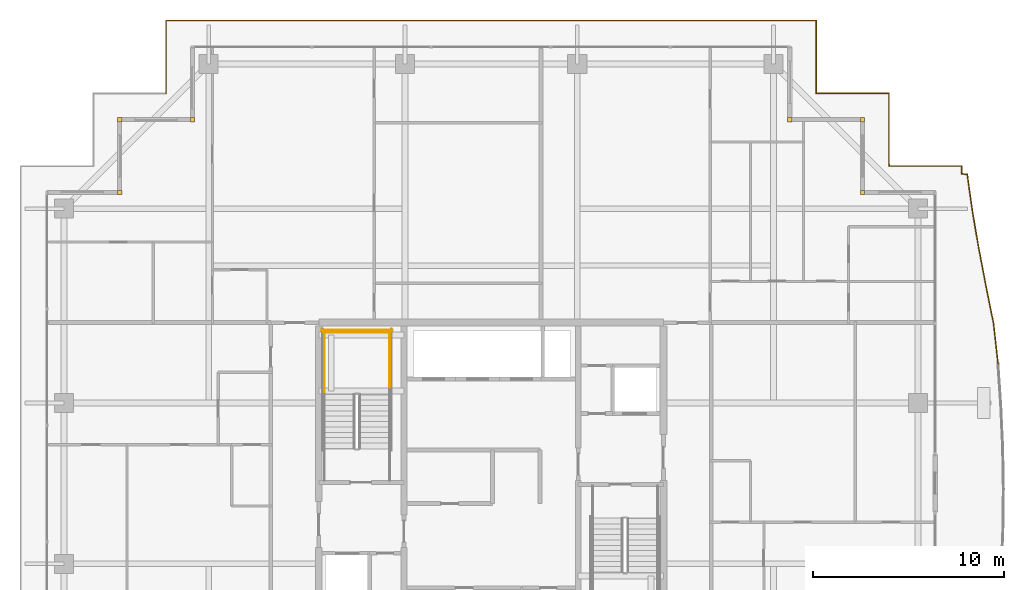
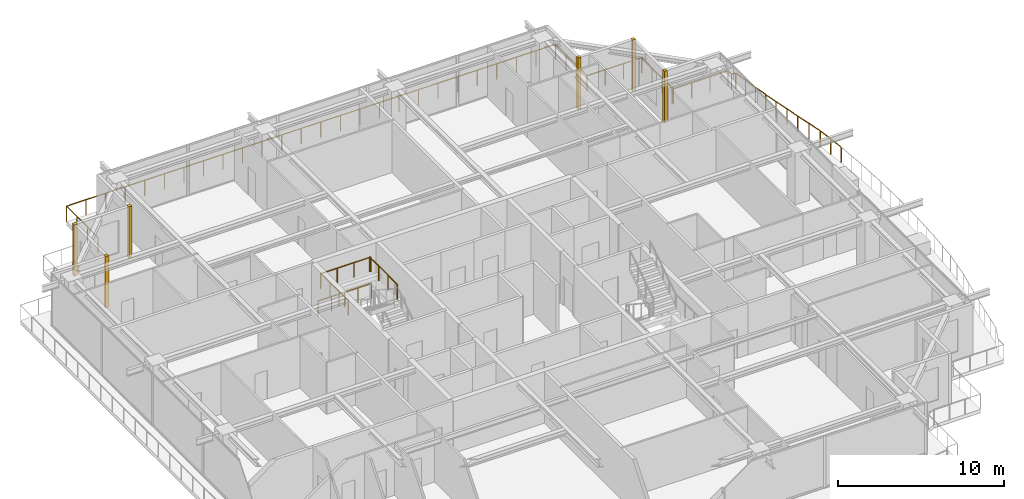
# One storey, part 42 of 42: 6 coverings, 6 railings.
"""IFC4 building model written with IfcOpenShell, lengths in metres."""

from ifc_helpers import new_model, si_unit, direction, frame, origin, origin_2d, place, context, subcontext, project, spatial, rectangle, circle, extrude, source, transform, mapped, material, layer, layer_set, type_object, element, save


model = new_model("IFC4")

# Units and contexts
model_context = context("Model", 3, precision=1e-05, world=origin(), true_north=direction((0.0, 1.0)))
body_context = subcontext(model_context, "Body", "Model", "MODEL_VIEW")
ifc_project = project(units=[si_unit("LENGTHUNIT", "METRE"), si_unit("AREAUNIT", "SQUARE_METRE"), si_unit("VOLUMEUNIT", "CUBIC_METRE"), si_unit("PLANEANGLEUNIT", "RADIAN"), si_unit("MASSUNIT", "GRAM", prefix="KILO")], contexts=[model_context])

# Site, building, storey
site_placement = place(None, origin())
site = spatial("IfcSite", under=ifc_project, at=site_placement, CompositionType="ELEMENT")
building_placement = place(site_placement, origin())
building = spatial("IfcBuilding", under=site, at=building_placement, Name="Serunith Strait Residences", CompositionType="ELEMENT")
storey_placement = place(building_placement, frame((0.0, 0.0, 293.449951171875)))
storey = spatial("IfcBuildingStorey", under=building, at=storey_placement, Name="L73", CompositionType="ELEMENT", Elevation=293.449951171875)

# Railings
ifc_material_1 = material(Name="Stainless Steel & Laminated Glass Balustrade", Category="steel")
railing_type_1 = type_object("IfcRailingType", Name="RLG-BALC-1150", PredefinedType="BALUSTRADE", material=ifc_material_1)
railing_1_placement = place(storey_placement, frame((15.407470703125, 45.580078125, -0.050048828125)))
element("IfcRailing", 1, at=railing_1_placement, inside=storey, type_object=railing_type_1, Name="L73 Swirling Balcony Perimeter Balustrade 2", PredefinedType="BALUSTRADE", context=body_context, shape_type="SweptSolid", body=[
    extrude(circle(Radius=0.02392578125, at=origin_2d()), frame((0.012451171875, 0.006591796875, 1.1259765625), z_axis=(0.0, 1.0, 0.0), x_axis=(-1.0, 0.0, 0.0)), (0.0, 0.0, 1.0), 3.791259765625),
    extrude(circle(Radius=0.02392578125, at=origin_2d()), frame((0.014404296875, 3.7998046875, 1.1259765625), z_axis=(1.0, 0.0, 0.0), x_axis=(0.0, 1.0, 0.0)), (0.0, 0.0, 1.0), 33.9560546875),
    extrude(circle(Radius=0.02392578125, at=origin_2d()), frame((33.972412109375, 3.7978515625, 1.1259765625), z_axis=(0.0, -1.0, 0.0), x_axis=(1.0, 0.0, 0.0)), (0.0, 0.0, 1.0), 3.7958984375),
    extrude(circle(Radius=0.02392578125, at=origin_2d()), frame((33.974365234375, 0.0, 1.1259765625), z_axis=(1.0, 0.0, 0.0), x_axis=(0.0, 1.0, 0.0)), (0.0, 0.0, 1.0), 3.796142578125),
    extrude(circle(Radius=0.02392578125, at=origin_2d()), frame((37.7724609375, -0.001953125, 1.1259765625), z_axis=(0.0, -1.0, 0.0), x_axis=(1.0, 0.0, 0.0)), (0.0, 0.0, 1.0), 3.655029296875),
    extrude(circle(Radius=0.02392578125, at=origin_2d()), frame((37.772705078125, -3.660888671875, 1.1259765625), z_axis=(0.148842389439, -0.988860932137, 0.0), x_axis=(0.988860932137, 0.148842389439, 0.0)), (0.0, 0.0, 1.0), 0.138671875),
    extrude(circle(Radius=0.02099609375, at=origin_2d()), frame((0.012451171875, 0.004638671875, 0.0)), (0.0, 0.0, 1.0), 1.099853515625),
    extrude(circle(Radius=0.02099609375, at=origin_2d()), frame((0.012451171875, 1.269775390625, 0.0)), (0.0, 0.0, 1.0), 1.099853515625),
    extrude(circle(Radius=0.02099609375, at=origin_2d()), frame((0.012451171875, 2.53466796875, 0.0)), (0.0, 0.0, 1.0), 1.099853515625),
    extrude(circle(Radius=0.02099609375, at=origin_2d()), frame((0.012451171875, 3.7998046875, 0.0)), (0.0, 0.0, 1.0), 1.099853515625),
    extrude(circle(Radius=0.02099609375, at=origin_2d()), frame((1.370849609375, 3.7998046875, 0.0)), (0.0, 0.0, 1.0), 1.099853515625),
    extrude(circle(Radius=0.02099609375, at=origin_2d()), frame((2.729248046875, 3.7998046875, 0.0)), (0.0, 0.0, 1.0), 1.099853515625),
    extrude(circle(Radius=0.02099609375, at=origin_2d()), frame((4.087646484375, 3.7998046875, 0.0)), (0.0, 0.0, 1.0), 1.099853515625),
    extrude(circle(Radius=0.02099609375, at=origin_2d()), frame((5.446044921875, 3.7998046875, 0.0)), (0.0, 0.0, 1.0), 1.099853515625),
    extrude(circle(Radius=0.02099609375, at=origin_2d()), frame((6.804443359375, 3.7998046875, 0.0)), (0.0, 0.0, 1.0), 1.099853515625),
    extrude(circle(Radius=0.02099609375, at=origin_2d()), frame((8.162841796875, 3.7998046875, 0.0)), (0.0, 0.0, 1.0), 1.099853515625),
    extrude(circle(Radius=0.02099609375, at=origin_2d()), frame((9.521240234375, 3.7998046875, 0.0)), (0.0, 0.0, 1.0), 1.099853515625),
    extrude(circle(Radius=0.02099609375, at=origin_2d()), frame((10.879638671875, 3.7998046875, 0.0)), (0.0, 0.0, 1.0), 1.099853515625),
    extrude(circle(Radius=0.02099609375, at=origin_2d()), frame((12.238037109375, 3.7998046875, 0.0)), (0.0, 0.0, 1.0), 1.099853515625),
    extrude(circle(Radius=0.02099609375, at=origin_2d()), frame((13.596435546875, 3.7998046875, 0.0)), (0.0, 0.0, 1.0), 1.099853515625),
    extrude(circle(Radius=0.02099609375, at=origin_2d()), frame((14.954833984375, 3.7998046875, 0.0)), (0.0, 0.0, 1.0), 1.099853515625),
    extrude(circle(Radius=0.02099609375, at=origin_2d()), frame((16.313232421875, 3.7998046875, 0.0)), (0.0, 0.0, 1.0), 1.099853515625),
    extrude(circle(Radius=0.02099609375, at=origin_2d()), frame((17.671630859375, 3.7998046875, 0.0)), (0.0, 0.0, 1.0), 1.099853515625),
    extrude(circle(Radius=0.02099609375, at=origin_2d()), frame((19.030029296875, 3.7998046875, 0.0)), (0.0, 0.0, 1.0), 1.099853515625),
    extrude(circle(Radius=0.02099609375, at=origin_2d()), frame((20.388427734375, 3.7998046875, 0.0)), (0.0, 0.0, 1.0), 1.099853515625),
    extrude(circle(Radius=0.02099609375, at=origin_2d()), frame((21.746826171875, 3.7998046875, 0.0)), (0.0, 0.0, 1.0), 1.099853515625),
    extrude(circle(Radius=0.02099609375, at=origin_2d()), frame((23.105224609375, 3.7998046875, 0.0)), (0.0, 0.0, 1.0), 1.099853515625),
    extrude(circle(Radius=0.02099609375, at=origin_2d()), frame((24.463623046875, 3.7998046875, 0.0)), (0.0, 0.0, 1.0), 1.099853515625),
    extrude(circle(Radius=0.02099609375, at=origin_2d()), frame((25.822021484375, 3.7998046875, 0.0)), (0.0, 0.0, 1.0), 1.099853515625),
    extrude(circle(Radius=0.02099609375, at=origin_2d()), frame((27.180419921875, 3.7998046875, 0.0)), (0.0, 0.0, 1.0), 1.099853515625),
    extrude(circle(Radius=0.02099609375, at=origin_2d()), frame((28.538818359375, 3.7998046875, 0.0)), (0.0, 0.0, 1.0), 1.099853515625),
    extrude(circle(Radius=0.02099609375, at=origin_2d()), frame((29.897216796875, 3.7998046875, 0.0)), (0.0, 0.0, 1.0), 1.099853515625),
    extrude(circle(Radius=0.02099609375, at=origin_2d()), frame((31.255615234375, 3.7998046875, 0.0)), (0.0, 0.0, 1.0), 1.099853515625),
    extrude(circle(Radius=0.02099609375, at=origin_2d()), frame((32.614013671875, 3.7998046875, 0.0)), (0.0, 0.0, 1.0), 1.099853515625),
    extrude(circle(Radius=0.02099609375, at=origin_2d()), frame((33.972412109375, 3.7998046875, 0.0)), (0.0, 0.0, 1.0), 1.099853515625),
    extrude(circle(Radius=0.02099609375, at=origin_2d()), frame((33.972412109375, 2.533203125, 0.0)), (0.0, 0.0, 1.0), 1.099853515625),
    extrude(circle(Radius=0.02099609375, at=origin_2d()), frame((33.972412109375, 1.2666015625, 0.0)), (0.0, 0.0, 1.0), 1.099853515625),
    extrude(circle(Radius=0.02099609375, at=origin_2d()), frame((33.972412109375, 0.0, 0.0)), (0.0, 0.0, 1.0), 1.099853515625),
    extrude(circle(Radius=0.02099609375, at=origin_2d()), frame((35.239013671875, 0.0, 0.0)), (0.0, 0.0, 1.0), 1.099853515625),
    extrude(circle(Radius=0.02099609375, at=origin_2d()), frame((36.505859375, 0.0, 0.0)), (0.0, 0.0, 1.0), 1.099853515625),
    extrude(circle(Radius=0.02099609375, at=origin_2d()), frame((37.7724609375, 0.0, 0.0)), (0.0, 0.0, 1.0), 1.099853515625),
    extrude(circle(Radius=0.02099609375, at=origin_2d()), frame((37.7724609375, -1.2197265625, 0.0)), (0.0, 0.0, 1.0), 1.099853515625),
    extrude(circle(Radius=0.02099609375, at=origin_2d()), frame((37.7724609375, -2.439208984375, 0.0)), (0.0, 0.0, 1.0), 1.099853515625),
    extrude(circle(Radius=0.02099609375, at=origin_2d()), frame((37.7724609375, -3.658935546875, 0.0)), (0.0, 0.0, 1.0), 1.099853515625),
    extrude(circle(Radius=0.02099609375, at=origin_2d()), frame((37.793701171875, -3.800048828125, 0.0)), (0.0, 0.0, 1.0), 1.099853515625),
])
railing_2_placement = place(storey_placement, frame((53.201171875, 41.780029296875, -0.050048828125)))
element("IfcRailing", 2, at=railing_2_placement, inside=storey, type_object=railing_type_1, Name="L73 Swirling Balcony Perimeter Balustrade 3", PredefinedType="BALUSTRADE", context=body_context, shape_type="SweptSolid", body=[
    extrude(circle(Radius=0.02392578125, at=origin_2d()), frame((0.001953125, 0.0, 1.1259765625), z_axis=(1.0, 0.0, 0.0), x_axis=(0.0, 1.0, 0.0)), (0.0, 0.0, 1.0), 3.77490234375),
    extrude(circle(Radius=0.02392578125, at=origin_2d()), frame((3.77880859375, -0.001953125, 1.1259765625), z_axis=(0.0, -1.0, 0.0), x_axis=(1.0, 0.0, 0.0)), (0.0, 0.0, 1.0), 0.408203125),
    extrude(circle(Radius=0.02392578125, at=origin_2d()), frame((3.78076171875, -0.412109375, 1.1259765625), z_axis=(0.998149907196, -0.060801009575, 0.0), x_axis=(0.060801009575, 0.998149907196, 0.0)), (0.0, 0.0, 1.0), 0.28515625),
    extrude(circle(Radius=0.02392578125, at=origin_2d()), frame((4.067626953125, -0.431640625, 1.1259765625), z_axis=(0.140051209882, -0.990144261515, 0.0), x_axis=(0.990144261515, 0.140051209882, 0.0)), (0.0, 0.0, 1.0), 1.9169921875),
    extrude(circle(Radius=0.02392578125, at=origin_2d()), frame((4.336669921875, -2.333740234375, 1.1259765625), z_axis=(0.166920200195, -0.985970408667, 0.0), x_axis=(0.985970408667, 0.166920200195, 0.0)), (0.0, 0.0, 1.0), 1.942626953125),
    extrude(circle(Radius=0.02392578125, at=origin_2d()), frame((4.661865234375, -4.253173828125, 1.1259765625), z_axis=(0.188437591314, -0.982085166459, 0.0), x_axis=(0.982085166459, 0.188437591314, 0.0)), (0.0, 0.0, 1.0), 1.98486328125),
    extrude(circle(Radius=0.02392578125, at=origin_2d()), frame((5.03662109375, -6.206298828125, 1.1259765625), z_axis=(0.197859974259, -0.980230294669, 0.0), x_axis=(0.980230294669, 0.197859974259, 0.0)), (0.0, 0.0, 1.0), 2.041748046875),
    extrude(circle(Radius=0.02392578125, at=origin_2d()), frame((5.441162109375, -8.211669921875, 1.1259765625), z_axis=(0.111200606253, -0.993797980059, 0.0), x_axis=(0.993797980059, 0.111200606253, 0.0)), (0.0, 0.0, 1.0), 2.121337890625),
    extrude(circle(Radius=0.02099609375, at=origin_2d()), origin(), (0.0, 0.0, 1.0), 1.099853515625),
    extrude(circle(Radius=0.02099609375, at=origin_2d()), frame((1.259521484375, 0.0, 0.0)), (0.0, 0.0, 1.0), 1.099853515625),
    extrude(circle(Radius=0.02099609375, at=origin_2d()), frame((2.519287109375, 0.0, 0.0)), (0.0, 0.0, 1.0), 1.099853515625),
    extrude(circle(Radius=0.02099609375, at=origin_2d()), frame((3.77880859375, 0.0, 0.0)), (0.0, 0.0, 1.0), 1.099853515625),
    extrude(circle(Radius=0.02099609375, at=origin_2d()), frame((3.77880859375, -0.412109375, 0.0)), (0.0, 0.0, 1.0), 1.099853515625),
    extrude(circle(Radius=0.02099609375, at=origin_2d()), frame((4.0673828125, -0.4296875, 0.0)), (0.0, 0.0, 1.0), 1.099853515625),
    extrude(circle(Radius=0.02099609375, at=origin_2d()), frame((4.201904296875, -1.380859375, 0.0)), (0.0, 0.0, 1.0), 1.099853515625),
    extrude(circle(Radius=0.02099609375, at=origin_2d()), frame((4.33642578125, -2.331787109375, 0.0)), (0.0, 0.0, 1.0), 1.099853515625),
    extrude(circle(Radius=0.02099609375, at=origin_2d()), frame((4.4990234375, -3.29150390625, 0.0)), (0.0, 0.0, 1.0), 1.099853515625),
    extrude(circle(Radius=0.02099609375, at=origin_2d()), frame((4.661376953125, -4.251220703125, 0.0)), (0.0, 0.0, 1.0), 1.099853515625),
    extrude(circle(Radius=0.02099609375, at=origin_2d()), frame((4.8486328125, -5.227783203125, 0.0)), (0.0, 0.0, 1.0), 1.099853515625),
    extrude(circle(Radius=0.02099609375, at=origin_2d()), frame((5.0361328125, -6.204345703125, 0.0)), (0.0, 0.0, 1.0), 1.099853515625),
    extrude(circle(Radius=0.02099609375, at=origin_2d()), frame((5.238525390625, -7.20703125, 0.0)), (0.0, 0.0, 1.0), 1.099853515625),
    extrude(circle(Radius=0.02099609375, at=origin_2d()), frame((5.44091796875, -8.209716796875, 0.0)), (0.0, 0.0, 1.0), 1.099853515625),
    extrude(circle(Radius=0.02099609375, at=origin_2d()), frame((5.55908203125, -9.265625, 0.0)), (0.0, 0.0, 1.0), 1.099853515625),
    extrude(circle(Radius=0.02099609375, at=origin_2d()), frame((5.67724609375, -10.32177734375, 0.0)), (0.0, 0.0, 1.0), 1.099853515625),
])
ifc_material_2 = material(Name="Brushed stainless steel 316L", Category="steel")
railing_type_2 = type_object("IfcRailingType", Name="RLG-STAIR-GUARD", PredefinedType="BALUSTRADE", material=ifc_material_2)
for number, where, name in (
    (3, (27.10009765625, 29.830078125, 2.025146484375), "L73 ST-1 stair guard 3"),
    (4, (23.699951171875, 29.830078125, 2.025146484375), "L73 ST-1 stair guard 4"),
):
    element("IfcRailing", number, at=place(storey_placement, frame(where)), inside=storey, type_object=railing_type_2, Name=name, PredefinedType="BALUSTRADE", context=body_context, shape_type="SweptSolid", body=[
        extrude(circle(Radius=0.02392578125, at=origin_2d()), frame((0.0, 0.001953125, 1.076171875), z_axis=(0.0, 1.0, 0.0), x_axis=(-1.0, 0.0, 0.0)), (0.0, 0.0, 1.0), 3.31591796875),
        extrude(circle(Radius=0.02099609375, at=origin_2d()), origin(), (0.0, 0.0, 1.0), 1.050048828125),
        extrude(circle(Radius=0.02099609375, at=origin_2d()), frame((0.0, 1.106689453125, 0.0)), (0.0, 0.0, 1.0), 1.050048828125),
        extrude(circle(Radius=0.02099609375, at=origin_2d()), frame((0.0, 2.213134765625, 0.0)), (0.0, 0.0, 1.0), 1.050048828125),
        extrude(circle(Radius=0.02099609375, at=origin_2d()), frame((0.0, 3.31982421875, 0.0)), (0.0, 0.0, 1.0), 1.050048828125),
    ])
railing_3_placement = place(storey_placement, frame((27.14990234375, 33.10009765625, 2.025146484375)))
element("IfcRailing", 5, at=railing_3_placement, inside=storey, type_object=railing_type_2, Name="L73 ST-1 stair guard 5", PredefinedType="BALUSTRADE", context=body_context, shape_type="SweptSolid", body=[
    extrude(circle(Radius=0.02392578125, at=origin_2d()), frame((-0.001953125, 0.0, 1.076171875), z_axis=(-1.0, 0.0, 0.0), x_axis=(0.0, -1.0, 0.0)), (0.0, 0.0, 1.0), 3.49609375),
    extrude(circle(Radius=0.02099609375, at=origin_2d()), origin(), (0.0, 0.0, 1.0), 1.050048828125),
    extrude(circle(Radius=0.02099609375, at=origin_2d()), frame((-1.166748046875, 0.0, 0.0)), (0.0, 0.0, 1.0), 1.050048828125),
    extrude(circle(Radius=0.02099609375, at=origin_2d()), frame((-2.333251953125, 0.0, 0.0)), (0.0, 0.0, 1.0), 1.050048828125),
    extrude(circle(Radius=0.02099609375, at=origin_2d()), frame((-3.5, 0.0, 0.0)), (0.0, 0.0, 1.0), 1.050048828125),
])
railing_4_placement = place(storey_placement, frame((27.25, 33.199951171875, 0.0)))
element("IfcRailing", 6, at=railing_4_placement, inside=storey, type_object=railing_type_2, Name="L73 ST-1 stair guard 12", PredefinedType="BALUSTRADE", context=body_context, shape_type="SweptSolid", body=[
    extrude(circle(Radius=0.02392578125, at=origin_2d()), frame((-0.001953125, 0.0, 1.076171875), z_axis=(-1.0, 0.0, 0.0), x_axis=(0.0, -1.0, 0.0)), (0.0, 0.0, 1.0), 3.696044921875),
    extrude(circle(Radius=0.02099609375, at=origin_2d()), origin(), (0.0, 0.0, 1.0), 1.050048828125),
    extrude(circle(Radius=0.02099609375, at=origin_2d()), frame((-0.925048828125, 0.0, 0.0)), (0.0, 0.0, 1.0), 1.050048828125),
    extrude(circle(Radius=0.02099609375, at=origin_2d()), frame((-1.85009765625, 0.0, 0.0)), (0.0, 0.0, 1.0), 1.050048828125),
    extrude(circle(Radius=0.02099609375, at=origin_2d()), frame((-2.77490234375, 0.0, 0.0)), (0.0, 0.0, 1.0), 1.050048828125),
    extrude(circle(Radius=0.02099609375, at=origin_2d()), frame((-3.699951171875, 0.0, 0.0)), (0.0, 0.0, 1.0), 1.050048828125),
])

# Coverings
ifc_material_3 = material(Name="Pale-Champagne Anodised Aluminium", Category="aluminium")
ifc_layer = layer(ifc_material_3, 0.219970703125, Name="Pale-Champagne Anodised Aluminium")
ifc_layer_set = layer_set([ifc_layer], Name="Pale-Champagne Anodised Aluminium")
covering_type = type_object("IfcCoveringType", Name="COV-CORN-TRIM", PredefinedType="CLADDING", material=ifc_layer_set)
shared_shape = source(origin(), body_context, "Body", "SweptSolid", [
    extrude(rectangle(XDim=0.221923828125, YDim=0.221923828125, at=origin_2d()), origin(), (0.0, 0.0, 1.0), 3.77490234375),
])
for number, where, z_axis, x_axis, name in (
    (7, (51.800048828125, 40.39990234375, 0.0), (0.0, 0.0, 1.0), (1.0, 0.0, 0.0), "L73 Girih Serrated Corner Trim Post 07"),
    (8, (51.800048828125, 44.199951171875, 0.0), (0.0, 0.0, 1.0), (1.0, 0.0, 0.0), "L73 Girih Serrated Corner Trim Post 08"),
    (9, (48.0, 44.199951171875, 0.0), (0.0, 0.0, 1.0), (1.0, 0.0, 0.0), "L73 Girih Serrated Corner Trim Post 09"),
    (10, (16.800048828125, 44.199951171875, 0.0), (0.0, 0.0, 1.0), (1.0, 0.0, 0.0), "L73 Girih Serrated Corner Trim Post 12"),
    (11, (13.0, 44.199951171875, 0.0), (0.0, 0.0, 1.0), (1.0, 0.0, 0.0), "L73 Girih Serrated Corner Trim Post 13"),
    (12, (13.0, 40.39990234375, 0.0), (0.0, 0.0, 1.0), (1.0, 0.0, 0.0), "L73 Girih Serrated Corner Trim Post 14"),
):
    element("IfcCovering", number, at=place(storey_placement, frame(where, z_axis=z_axis, x_axis=x_axis)), inside=storey, type_object=covering_type, Name=name, PredefinedType="CLADDING", context=body_context, shape_type="MappedRepresentation", body=[
        mapped(shared_shape, transform((0.0, 0.0, 0.0), scale=1.0)),
    ])

save(model, "model.ifc")
